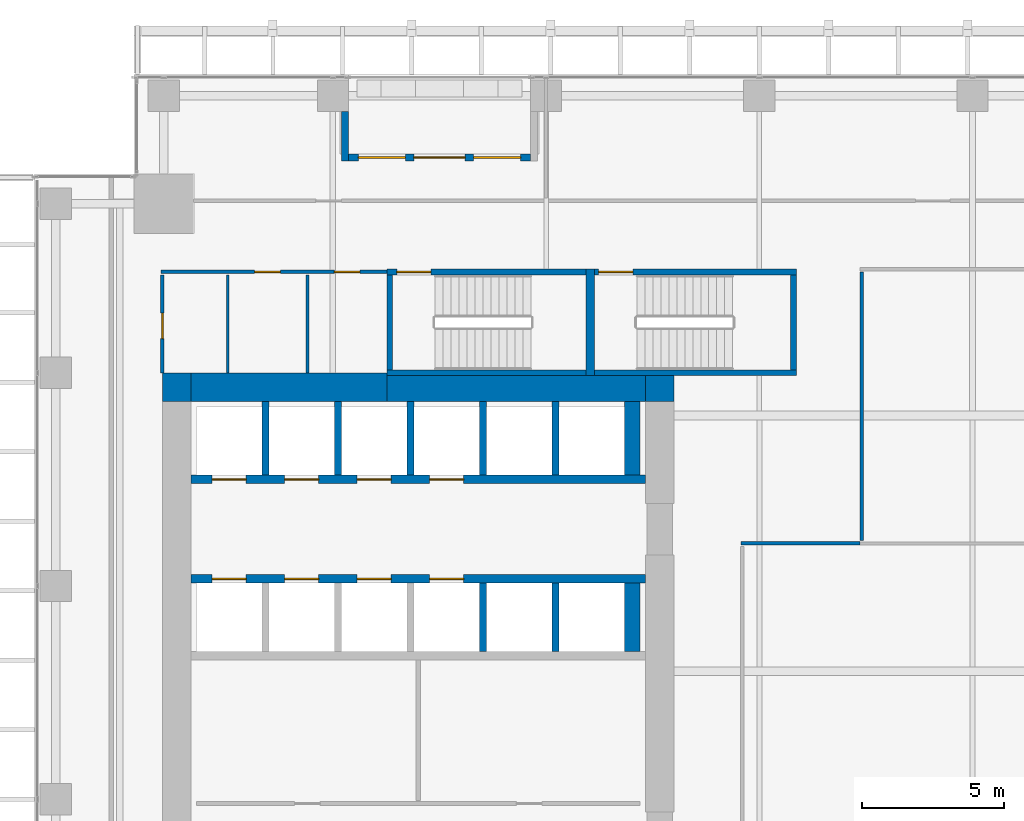
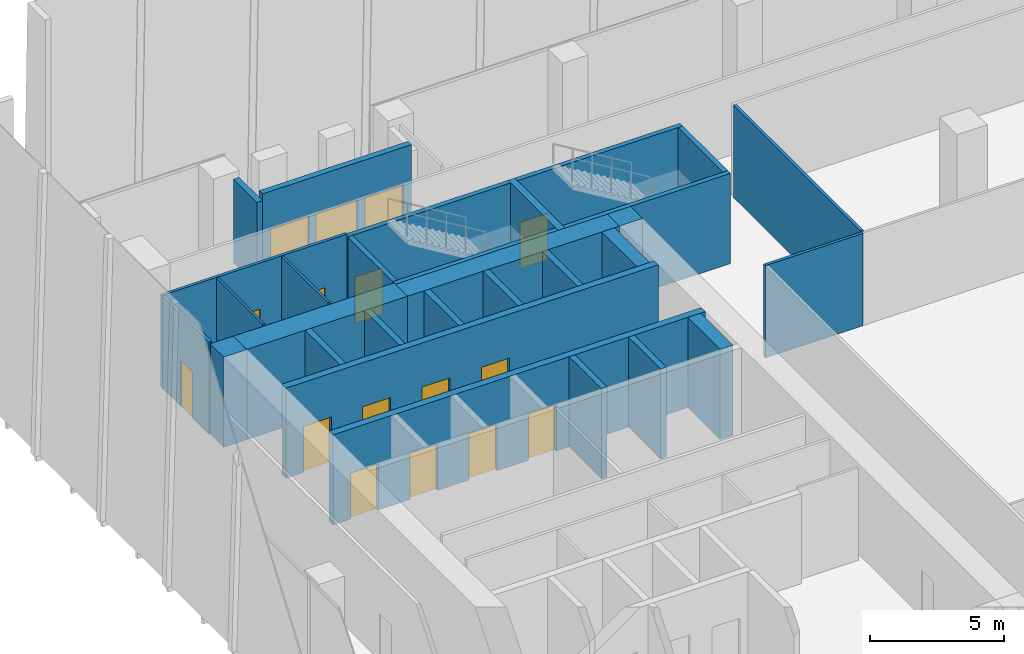
# One storey, part 30 of 36: 30 walls, 14 doors, 2 windows, 16 openings.
"""IFC4 building model written with IfcOpenShell, lengths in metres."""

import ifcopenshell
import ifcopenshell.guid

model = None  # the IFC model being written
_history = None  # IfcOwnerHistory: only IFC2X3 demands one
_inside = {}  # id of a spatial element -> (the spatial element, [elements in it])
_under = {}  # id of a project, library or spatial element -> (it, [spatial elements below it])
_declared = {}  # id of a project -> (the project, [libraries it declares])
_typed = {}  # id of a type object -> (the type object, [elements of that type])
_made_of = {}  # id of a material, layer set ... -> (it, [elements and type objects made of it])


def new_model(schema):
    """Start an empty IFC model of exactly this schema.

    Asked for "IFC4X3", IfcOpenShell would pick the latest addendum, in which some entities
    have other attributes; the version numbers below select the first issue.
    IFC2X3 requires an IfcOwnerHistory on every rooted entity: one is made here for all.
    """
    global model, _history
    if schema == "IFC4X3":
        model = ifcopenshell.file(schema_version=(4, 3, 0, 0))
    else:
        model = ifcopenshell.file(schema=schema)
    _inside.clear()
    _under.clear()
    _declared.clear()
    _typed.clear()
    _made_of.clear()
    _history = None
    if model.schema == "IFC2X3":
        org = make("IfcOrganization", Name="unknown")
        user = make(
            "IfcPersonAndOrganization",
            ThePerson=make("IfcPerson", FamilyName="unknown"),
            TheOrganization=org,
        )
        app = make(
            "IfcApplication",
            ApplicationDeveloper=org,
            Version="unknown",
            ApplicationFullName="unknown",
            ApplicationIdentifier="unknown",
        )
        _history = make(
            "IfcOwnerHistory",
            OwningUser=user,
            OwningApplication=app,
            ChangeAction="ADDED",
            CreationDate=0,
        )
    return model


def make(cls, **values):
    """One entity of the class cls with the attributes given. An attribute that is None is left unset."""
    return model.create_entity(
        cls, **{name: value for name, value in values.items() if value is not None}
    )


def rooted(cls, **values):
    """An entity with a GlobalId (a new one), such as an element, a storey or a relation."""
    return make(cls, GlobalId=ifcopenshell.guid.new(), OwnerHistory=_history, **values)


def si_unit(unit_type, name, prefix=None):
    """IfcSIUnit, for example si_unit("LENGTHUNIT", "METRE", prefix="MILLI")."""
    return make("IfcSIUnit", UnitType=unit_type, Prefix=prefix, Name=name)


def assignment(units):
    """IfcUnitAssignment: the units of a project."""
    return None if units is None else make("IfcUnitAssignment", Units=units)


def point(xyz):
    """IfcCartesianPoint."""
    return None if xyz is None else make("IfcCartesianPoint", Coordinates=xyz)


def direction(xyz):
    """IfcDirection."""
    return None if xyz is None else make("IfcDirection", DirectionRatios=xyz)


def frame(location, z_axis=None, x_axis=None):
    """IfcAxis2Placement3D, a coordinate frame: its origin and axes. An axis left out is left unset."""
    return make(
        "IfcAxis2Placement3D",
        Location=point(location),
        Axis=direction(z_axis),
        RefDirection=direction(x_axis),
    )


def frame_2d(location, x_axis=None):
    """IfcAxis2Placement2D, a coordinate frame in the plane: its origin and x axis."""
    return make(
        "IfcAxis2Placement2D", Location=point(location), RefDirection=direction(x_axis)
    )


def origin():
    """The frame at (0, 0, 0) with its axes left unset."""
    return frame((0.0, 0.0, 0.0))


def place(relative_to, where):
    """IfcLocalPlacement: puts the frame where relative to a parent placement (None: the world)."""
    return make(
        "IfcLocalPlacement", PlacementRelTo=relative_to, RelativePlacement=where
    )


def context(
    kind, dimensions, precision=None, world=None, true_north=None, identifier=None
):
    """IfcGeometricRepresentationContext, for example the 3D "Model" context."""
    return make(
        "IfcGeometricRepresentationContext",
        ContextIdentifier=identifier,
        ContextType=kind,
        CoordinateSpaceDimension=dimensions,
        Precision=precision,
        WorldCoordinateSystem=world,
        TrueNorth=true_north,
    )


def subcontext(parent, identifier, kind, view, scale=None):
    """IfcGeometricRepresentationSubContext, for example "Body" below "Model"."""
    return make(
        "IfcGeometricRepresentationSubContext",
        ContextIdentifier=identifier,
        ContextType=kind,
        ParentContext=parent,
        TargetScale=scale,
        TargetView=view,
    )


def project(units=None, contexts=None):
    """IfcProject with its units and contexts."""
    return rooted(
        "IfcProject",
        Name="project",
        RepresentationContexts=contexts,
        UnitsInContext=assignment(units),
    )


def spatial(cls, under=None, at=None, **own):
    """A site, building, storey or space (cls), placed at a placement, below another one or the project."""
    s = rooted(cls, ObjectPlacement=at, **own)
    if under is not None:
        _under.setdefault(under.id(), (under, []))[1].append(s)
    return s


def profile(cls, at=None, kind="AREA", **sizes):
    """A parametric profile (cls). Its sizes go by their IFC names, for example OverallWidth=200.0."""
    return make(cls, ProfileType=kind, Position=at, **sizes)


def rectangle(**sizes):
    """IfcRectangleProfileDef."""
    return profile("IfcRectangleProfileDef", **sizes)


def extrude(swept, where, along, depth):
    """IfcExtrudedAreaSolid: the profile swept, set in the frame where, extruded along a direction by depth."""
    return make(
        "IfcExtrudedAreaSolid",
        SweptArea=swept,
        Position=where,
        ExtrudedDirection=direction(along),
        Depth=depth,
    )


def shape(context_of_items, identifier, shape_type, items):
    """IfcShapeRepresentation: the items that make up one representation, for example the "Body"."""
    return make(
        "IfcShapeRepresentation",
        ContextOfItems=context_of_items,
        RepresentationIdentifier=identifier,
        RepresentationType=shape_type,
        Items=items,
    )


def source(mapping_origin, context_of_items, identifier, shape_type, items):
    """IfcRepresentationMap: a shape defined once, which mapped items show again and again."""
    return make(
        "IfcRepresentationMap",
        MappingOrigin=mapping_origin,
        MappedRepresentation=shape(context_of_items, identifier, shape_type, items),
    )


def transform(
    local_origin,
    x_axis=None,
    y_axis=None,
    z_axis=None,
    scale=None,
    scale2=None,
    scale3=None,
    uniform=True,
):
    """IfcCartesianTransformationOperator3D, or its non-uniform kind. x_axis, y_axis, z_axis: its Axis1, 2, 3."""
    if uniform:
        return make(
            "IfcCartesianTransformationOperator3D",
            Axis1=direction(x_axis),
            Axis2=direction(y_axis),
            LocalOrigin=point(local_origin),
            Scale=scale,
            Axis3=direction(z_axis),
        )
    return make(
        "IfcCartesianTransformationOperator3DnonUniform",
        Axis1=direction(x_axis),
        Axis2=direction(y_axis),
        LocalOrigin=point(local_origin),
        Scale=scale,
        Axis3=direction(z_axis),
        Scale2=scale2,
        Scale3=scale3,
    )


def mapped(mapping_source, mapping_target):
    """IfcMappedItem: shows the shape of a source again, moved by a transform."""
    return make(
        "IfcMappedItem", MappingSource=mapping_source, MappingTarget=mapping_target
    )


def material(Name=None, Category=None):
    """IfcMaterial."""
    return make("IfcMaterial", Name=Name, Category=Category)


def layer(
    of_material, thickness, ventilated=None, Name=None, Category=None, Priority=None
):
    """IfcMaterialLayer: one layer of a wall or slab, of a material (None: an air gap)."""
    return make(
        "IfcMaterialLayer",
        Material=of_material,
        LayerThickness=thickness,
        IsVentilated=ventilated,
        Name=Name,
        Category=Category,
        Priority=Priority,
    )


def layer_set(layers, Name=None):
    """IfcMaterialLayerSet."""
    return make("IfcMaterialLayerSet", MaterialLayers=layers, LayerSetName=Name)


def made_of(thing, what):
    """Note that an element or type object is made of a material, layer set ...; save() writes the relation."""
    if what is not None:
        _made_of.setdefault(what.id(), (what, []))[1].append(thing)
    return thing


def type_object(cls, material=None, **own):
    """A type object (cls), such as IfcWallType, which elements share."""
    return made_of(rooted(cls, **own), material)


def element(
    cls,
    number,
    at=None,
    inside=None,
    cuts=None,
    type_object=None,
    material=None,
    context=None,
    identifier="Body",
    shape_type=None,
    held_by="IfcProductDefinitionShape",
    body=None,
    shapes=None,
    **own,
):
    """One element of the class cls, such as IfcWall. Its Tag is "e" and its number.

    at: its placement. inside: the storey or other place that contains it. cuts: it is an
    opening in that element (IfcRelVoidsElement). A single representation is given by context,
    identifier, shape_type and body (its items); several are given by shapes. held_by: the class
    of the entity that holds the representations. save() writes the other relations.
    """
    e = rooted(cls, Tag="e%d" % number, ObjectPlacement=at, **own)
    if body is not None:
        shapes = [shape(context, identifier, shape_type, body)]
    if shapes is not None:
        e.Representation = make(held_by, Representations=shapes)
    if inside is not None:
        _inside.setdefault(inside.id(), (inside, []))[1].append(e)
    if cuts is not None:
        rooted(
            "IfcRelVoidsElement", RelatingBuildingElement=cuts, RelatedOpeningElement=e
        )
    if type_object is not None:
        _typed.setdefault(type_object.id(), (type_object, []))[1].append(e)
    return made_of(e, material)


def fill(opening, filler):
    """IfcRelFillsElement: the door or window that sits in an opening."""
    return rooted(
        "IfcRelFillsElement",
        RelatingOpeningElement=opening,
        RelatedBuildingElement=filler,
    )


def aggregate(whole, parts):
    """IfcRelAggregates: a whole, such as a stair, and the parts it consists of."""
    return rooted("IfcRelAggregates", RelatingObject=whole, RelatedObjects=parts)


def save(model, path):
    """Write the relations noted so far, then the file.

    IfcRelAggregates (storeys below a building ...), IfcRelContainedInSpatialStructure (elements
    in a storey), IfcRelDefinesByType, IfcRelAssociatesMaterial and IfcRelDeclares: one each for
    every whole, place, type object, material and project.
    """
    for whole, parts in _under.values():
        aggregate(whole, parts)
    for where, things in _inside.values():
        rooted(
            "IfcRelContainedInSpatialStructure",
            RelatedElements=things,
            RelatingStructure=where,
        )
    for kind, things in _typed.values():
        rooted("IfcRelDefinesByType", RelatedObjects=things, RelatingType=kind)
    for what, things in _made_of.values():
        rooted("IfcRelAssociatesMaterial", RelatedObjects=things, RelatingMaterial=what)
    for by, libraries in _declared.values():
        rooted("IfcRelDeclares", RelatingContext=by, RelatedDefinitions=libraries)
    model.write(path)


model = new_model("IFC4")

# Units and contexts
model_context = context("Model", 3, precision=1e-05, world=origin(), true_north=direction((0.0, 1.0)))
body_context = subcontext(model_context, "Body", "Model", "MODEL_VIEW")
ifc_project = project(units=[si_unit("LENGTHUNIT", "METRE"), si_unit("AREAUNIT", "SQUARE_METRE"), si_unit("VOLUMEUNIT", "CUBIC_METRE"), si_unit("PLANEANGLEUNIT", "RADIAN"), si_unit("MASSUNIT", "GRAM", prefix="KILO")], contexts=[model_context])

# Site, building, storey
site_placement = place(None, origin())
site = spatial("IfcSite", under=ifc_project, at=site_placement, CompositionType="ELEMENT")
building_placement = place(site_placement, origin())
building = spatial("IfcBuilding", under=site, at=building_placement, Name="Khomas Fold Tower", CompositionType="ELEMENT")
storey_placement = place(building_placement, frame((0.0, 0.0, 141.10009765625)))
storey = spatial("IfcBuildingStorey", under=building, at=storey_placement, Name="L30", CompositionType="ELEMENT", Elevation=141.10009765625)

# Walls
ifc_material_1 = material(Name="Concrete C70/85", Category="concrete")
ifc_layer_1 = layer(ifc_material_1, 1.0)
ifc_layer_set_1 = layer_set([ifc_layer_1], Name="Concrete C70/85")
wall_type_1 = type_object("IfcWallType", Name="Core wall 1000", PredefinedType="SHEAR", material=ifc_layer_set_1)
shared_shape_1 = source(origin(), body_context, "Body", "SweptSolid", [
    extrude(rectangle(XDim=6.89990234375, YDim=1.0, at=frame_2d((3.449951171875, 0.0))), origin(), (0.0, 0.0, 1.0), 4.099853515625),
])
wall_1_placement = place(storey_placement, frame((7.0, 41.5, 0.0), z_axis=(0.0, 0.0, 1.0), x_axis=(1.0, 0.0, 0.0)))
element("IfcWall", 1, at=wall_1_placement, inside=storey, type_object=wall_type_1, Name="Core wall CW-L-N-L21", PredefinedType="SHEAR", context=body_context, shape_type="MappedRepresentation", body=[
    mapped(shared_shape_1, transform((0.0, 0.0, 0.0))),
])
ifc_material_2 = material(Name="Concrete C70/85", Category="concrete")
ifc_layer_2 = layer(ifc_material_2, 0.89990234375)
ifc_layer_set_2 = layer_set([ifc_layer_2], Name="Concrete C70/85")
wall_type_2 = type_object("IfcWallType", Name="Core wall 900", PredefinedType="SHEAR", material=ifc_layer_set_2)
shared_shape_2 = source(origin(), body_context, "Body", "SweptSolid", [
    extrude(rectangle(XDim=9.10009765625, YDim=0.89990234375, at=frame_2d((4.550048828125, 0.0))), origin(), (0.0, 0.0, 1.0), 4.099853515625),
])
wall_2_placement = place(storey_placement, frame((13.89990234375, 41.449951171875, 0.0), z_axis=(0.0, 0.0, 1.0), x_axis=(1.0, 0.0, 0.0)))
element("IfcWall", 2, at=wall_2_placement, inside=storey, type_object=wall_type_2, Name="Core wall CW-L-N-L21-1", PredefinedType="SHEAR", context=body_context, shape_type="MappedRepresentation", body=[
    mapped(shared_shape_2, transform((0.0, 0.0, 0.0))),
])
ifc_material_3 = material(Name="Concrete C70/85", Category="concrete")
ifc_layer_3 = layer(ifc_material_3, 0.89990234375)
ifc_layer_set_3 = layer_set([ifc_layer_3], Name="Concrete C70/85")
wall_type_3 = type_object("IfcWallType", Name="Core corner wall 900", PredefinedType="SHEAR", material=ifc_layer_set_3)
shared_shape_3 = source(origin(), body_context, "Body", "SweptSolid", [
    extrude(rectangle(XDim=1.0, YDim=0.89990234375, at=frame_2d((0.5, 0.0))), origin(), (0.0, 0.0, 1.0), 4.099853515625),
])
wall_3_placement = place(storey_placement, frame((23.0, 41.449951171875, 0.0), z_axis=(0.0, 0.0, 1.0), x_axis=(1.0, 0.0, 0.0)))
element("IfcWall", 3, at=wall_3_placement, inside=storey, type_object=wall_type_3, Name="Core wall CW-L-NE-L21", PredefinedType="SHEAR", context=body_context, shape_type="MappedRepresentation", body=[
    mapped(shared_shape_3, transform((0.0, 0.0, 0.0))),
])
ifc_material_4 = material(Name="Concrete C70/85", Category="concrete")
ifc_layer_4 = layer(ifc_material_4, 1.0)
ifc_layer_set_4 = layer_set([ifc_layer_4], Name="Concrete C70/85")
wall_type_4 = type_object("IfcWallType", Name="Core corner wall 1000", PredefinedType="SHEAR", material=ifc_layer_set_4)
shared_shape_4 = source(origin(), body_context, "Body", "SweptSolid", [
    extrude(rectangle(XDim=1.0, YDim=1.0, at=frame_2d((0.5, 0.0))), origin(), (0.0, 0.0, 1.0), 4.099853515625),
])
wall_4_placement = place(storey_placement, frame((6.0, 41.5, 0.0), z_axis=(0.0, 0.0, 1.0), x_axis=(1.0, 0.0, 0.0)))
element("IfcWall", 4, at=wall_4_placement, inside=storey, type_object=wall_type_4, Name="Core wall CW-L-NW-L21", PredefinedType="SHEAR", context=body_context, shape_type="MappedRepresentation", body=[
    mapped(shared_shape_4, transform((0.0, 0.0, 0.0))),
])

# Wall, opening, door
ifc_material_5 = material(Name="Concrete C50/60", Category="concrete")
ifc_layer_5 = layer(ifc_material_5, 0.199951171875)
ifc_layer_set_5 = layer_set([ifc_layer_5], Name="Concrete C50/60")
wall_type_5 = type_object("IfcWallType", Name="Stair wall 200", PredefinedType="SHEAR", material=ifc_layer_set_5)
shared_shape_5 = source(origin(), body_context, "Body", "SweptSolid", [
    extrude(rectangle(XDim=7.0, YDim=0.199951171875, at=frame_2d((3.5, 0.0))), origin(), (0.0, 0.0, 1.0), 4.099853515625),
])
wall_5_placement = place(storey_placement, frame((13.89990234375, 45.550048828125, 0.0), z_axis=(0.0, 0.0, 1.0), x_axis=(1.0, 0.0, 0.0)))
wall_5 = element("IfcWall", 5, at=wall_5_placement, inside=storey, type_object=wall_type_5, Name="Stair wall SW-ST1-N", PredefinedType="SHEAR", context=body_context, shape_type="MappedRepresentation", body=[
    mapped(shared_shape_5, transform((0.0, 0.0, 0.0))),
])
shared_shape_6 = source(origin(), body_context, "Body", "SweptSolid", [
    extrude(rectangle(XDim=1.199951171875, YDim=2.10009765625, at=frame_2d((0.60009765625, 1.050048828125))), frame((0.0, 0.10986328125, 0.0), z_axis=(0.0, -1.0, 0.0), x_axis=(1.0, 0.0, 0.0)), (0.0, 0.0, 1.0), 0.219970703125),
])
opening_1_placement = place(wall_5_placement, frame((0.35009765625, 0.0, 0.0)))
opening_1 = element("IfcOpeningElement", 6, at=opening_1_placement, cuts=wall_5, Name="Opening SD-ST1", PredefinedType="OPENING", context=body_context, shape_type="MappedRepresentation", body=[
    mapped(shared_shape_6, transform((0.0, 0.0, 0.0))),
])
ifc_material_6 = material(Name="Steel door leaf", Category="steel")
door_type_1 = type_object("IfcDoorType", Name="Stair door 1200x2100 left-hand", OperationType="SINGLE_SWING_LEFT", PredefinedType="DOOR", material=ifc_material_6)
shared_shape_7 = source(origin(), body_context, "Body", "SweptSolid", [
    extrude(rectangle(XDim=1.199951171875, YDim=2.10009765625, at=frame_2d((0.60009765625, 1.050048828125))), frame((0.0, 0.02490234375, 0.0), z_axis=(0.0, -1.0, 0.0), x_axis=(1.0, 0.0, 0.0)), (0.0, 0.0, 1.0), 0.050048828125),
])
door_1_placement = place(opening_1_placement, origin())
door_1 = element("IfcDoor", 7, at=door_1_placement, inside=storey, type_object=door_type_1, Name="Stair door", OperationType="SINGLE_SWING_LEFT", OverallHeight=2.10009765625, OverallWidth=1.199951171875, PredefinedType="DOOR", context=body_context, shape_type="MappedRepresentation", body=[
    mapped(shared_shape_7, transform((0.0, 0.0, 0.0))),
])
fill(opening_1, door_1)

# Wall
wall_6_placement = place(storey_placement, frame((13.89990234375, 42.0, 0.0), z_axis=(0.0, 0.0, 1.0), x_axis=(1.0, 0.0, 0.0)))
element("IfcWall", 8, at=wall_6_placement, inside=storey, type_object=wall_type_5, Name="Stair wall SW-ST1-S", PredefinedType="SHEAR", context=body_context, shape_type="MappedRepresentation", body=[
    mapped(shared_shape_5, transform((0.0, 0.0, 0.0))),
])

# Wall, opening, door
shared_shape_8 = source(origin(), body_context, "Body", "SweptSolid", [
    extrude(rectangle(XDim=7.10009765625, YDim=0.199951171875, at=frame_2d((3.550048828125, 0.0))), origin(), (0.0, 0.0, 1.0), 4.099853515625),
])
wall_7_placement = place(storey_placement, frame((21.199951171875, 45.550048828125, 0.0), z_axis=(0.0, 0.0, 1.0), x_axis=(1.0, 0.0, 0.0)))
wall_7 = element("IfcWall", 9, at=wall_7_placement, inside=storey, type_object=wall_type_5, Name="Stair wall SW-ST3-N", PredefinedType="SHEAR", context=body_context, shape_type="MappedRepresentation", body=[
    mapped(shared_shape_8, transform((0.0, 0.0, 0.0))),
])
opening_2_placement = place(wall_7_placement, frame((0.14990234375, 0.0, 0.0)))
opening_2 = element("IfcOpeningElement", 10, at=opening_2_placement, cuts=wall_7, Name="Opening SD-ST3", PredefinedType="OPENING", context=body_context, shape_type="MappedRepresentation", body=[
    mapped(shared_shape_6, transform((0.0, 0.0, 0.0))),
])
door_2_placement = place(opening_2_placement, origin())
door_2 = element("IfcDoor", 11, at=door_2_placement, inside=storey, type_object=door_type_1, Name="Stair door", OperationType="SINGLE_SWING_LEFT", OverallHeight=2.10009765625, OverallWidth=1.199951171875, PredefinedType="DOOR", context=body_context, shape_type="MappedRepresentation", body=[
    mapped(shared_shape_7, transform((0.0, 0.0, 0.0))),
])
fill(opening_2, door_2)

# Walls
wall_8_placement = place(storey_placement, frame((21.199951171875, 42.0, 0.0), z_axis=(0.0, 0.0, 1.0), x_axis=(1.0, 0.0, 0.0)))
element("IfcWall", 12, at=wall_8_placement, inside=storey, type_object=wall_type_5, Name="Stair wall SW-ST3-S", PredefinedType="SHEAR", context=body_context, shape_type="MappedRepresentation", body=[
    mapped(shared_shape_8, transform((0.0, 0.0, 0.0))),
])
ifc_material_7 = material(Name="Concrete C50/60", Category="concrete")
ifc_layer_6 = layer(ifc_material_7, 0.300048828125)
ifc_layer_set_6 = layer_set([ifc_layer_6], Name="Concrete C50/60")
wall_type_6 = type_object("IfcWallType", Name="Stair wall 300", PredefinedType="SHEAR", material=ifc_layer_set_6)
shared_shape_9 = source(origin(), body_context, "Body", "SweptSolid", [
    extrude(rectangle(XDim=3.75, YDim=0.300048828125, at=frame_2d((1.875, 0.0))), origin(), (0.0, 0.0, 1.0), 4.099853515625),
])
wall_9_placement = place(storey_placement, frame((21.050048828125, 41.89990234375, 0.0), z_axis=(0.0, 0.0, 1.0), x_axis=(0.0, 1.0, 0.0)))
element("IfcWall", 13, at=wall_9_placement, inside=storey, type_object=wall_type_6, Name="Stair wall SW-ST1-E", PredefinedType="SHEAR", context=body_context, shape_type="MappedRepresentation", body=[
    mapped(shared_shape_9, transform((0.0, 0.0, 0.0))),
])
shared_shape_10 = source(origin(), body_context, "Body", "SweptSolid", [
    extrude(rectangle(XDim=3.349853515625, YDim=0.199951171875, at=frame_2d((1.6748046875, 0.0))), origin(), (0.0, 0.0, 1.0), 4.099853515625),
])
for number, where, z_axis, x_axis, name in (
    (14, (14.0, 42.10009765625, 0.0), (0.0, 0.0, 1.0), (0.0, 1.0, 0.0), "Stair wall SW-ST1-W"),
    (15, (28.199951171875, 42.10009765625, 0.0), (0.0, 0.0, 1.0), (0.0, 1.0, 0.0), "Stair wall SW-ST3-E"),
):
    element("IfcWall", number, at=place(storey_placement, frame(where, z_axis=z_axis, x_axis=x_axis)), inside=storey, type_object=wall_type_5, Name=name, PredefinedType="SHEAR", context=body_context, shape_type="MappedRepresentation", body=[
        mapped(shared_shape_10, transform((0.0, 0.0, 0.0))),
    ])

# Wall, openings, doors
ifc_material_8 = material(Name="Concrete C50/60", Category="concrete")
ifc_layer_7 = layer(ifc_material_8, 0.300048828125)
ifc_layer_set_7 = layer_set([ifc_layer_7], Name="Concrete C50/60")
wall_type_7 = type_object("IfcWallType", Name="Shaft wall 300", PredefinedType="STANDARD", material=ifc_layer_set_7)
shared_shape_11 = source(origin(), body_context, "Body", "SweptSolid", [
    extrude(rectangle(XDim=16.0, YDim=0.300048828125, at=frame_2d((8.0, 0.0))), origin(), (0.0, 0.0, 1.0), 4.099853515625),
])
wall_10_placement = place(storey_placement, frame((7.0, 38.25, 0.0), z_axis=(0.0, 0.0, 1.0), x_axis=(1.0, 0.0, 0.0)))
wall_10 = element("IfcWall", 16, at=wall_10_placement, inside=storey, type_object=wall_type_7, Name="Core wall SW-LRN-F", PredefinedType="STANDARD", context=body_context, shape_type="MappedRepresentation", body=[
    mapped(shared_shape_11, transform((0.0, 0.0, 0.0))),
])
shared_shape_12 = source(origin(), body_context, "Body", "SweptSolid", [
    extrude(rectangle(XDim=1.199951171875, YDim=2.10009765625, at=frame_2d((0.60009765625, 1.050048828125))), frame((0.0, 0.159912109375, 0.0), z_axis=(0.0, -1.0, 0.0), x_axis=(1.0, 0.0, 0.0)), (0.0, 0.0, 1.0), 0.320068359375),
])
opening_3_placement = place(wall_10_placement, frame((0.75, 0.0, 0.0)))
opening_3 = element("IfcOpeningElement", 17, at=opening_3_placement, cuts=wall_10, Name="Opening LD-LR5", PredefinedType="OPENING", context=body_context, shape_type="MappedRepresentation", body=[
    mapped(shared_shape_12, transform((0.0, 0.0, 0.0))),
])
opening_4_placement = place(wall_10_placement, frame((3.300048828125, 0.0, 0.0)))
opening_4 = element("IfcOpeningElement", 18, at=opening_4_placement, cuts=wall_10, Name="Opening LD-LR6", PredefinedType="OPENING", context=body_context, shape_type="MappedRepresentation", body=[
    mapped(shared_shape_12, transform((0.0, 0.0, 0.0))),
])
opening_5_placement = place(wall_10_placement, frame((5.85009765625, 0.0, 0.0)))
opening_5 = element("IfcOpeningElement", 19, at=opening_5_placement, cuts=wall_10, Name="Opening LD-LR7", PredefinedType="OPENING", context=body_context, shape_type="MappedRepresentation", body=[
    mapped(shared_shape_12, transform((0.0, 0.0, 0.0))),
])
opening_6_placement = place(wall_10_placement, frame((8.39990234375, 0.0, 0.0)))
opening_6 = element("IfcOpeningElement", 20, at=opening_6_placement, cuts=wall_10, Name="Opening LD-LR8", PredefinedType="OPENING", context=body_context, shape_type="MappedRepresentation", body=[
    mapped(shared_shape_12, transform((0.0, 0.0, 0.0))),
])
ifc_material_9 = material(Name="Steel door leaf", Category="steel")
door_type_2 = type_object("IfcDoorType", Name="Landing door 1200x2100", OperationType="DOUBLE_DOOR_SLIDING", PredefinedType="DOOR", material=ifc_material_9)
door_3_placement = place(opening_3_placement, origin())
door_3 = element("IfcDoor", 21, at=door_3_placement, inside=storey, type_object=door_type_2, Name="Lift landing door", OperationType="DOUBLE_DOOR_SLIDING", OverallHeight=2.10009765625, OverallWidth=1.199951171875, PredefinedType="DOOR", context=body_context, shape_type="MappedRepresentation", body=[
    mapped(shared_shape_7, transform((0.0, 0.0, 0.0))),
])
fill(opening_3, door_3)
door_4_placement = place(opening_4_placement, origin())
door_4 = element("IfcDoor", 22, at=door_4_placement, inside=storey, type_object=door_type_2, Name="Lift landing door", OperationType="DOUBLE_DOOR_SLIDING", OverallHeight=2.10009765625, OverallWidth=1.199951171875, PredefinedType="DOOR", context=body_context, shape_type="MappedRepresentation", body=[
    mapped(shared_shape_7, transform((0.0, 0.0, 0.0))),
])
fill(opening_4, door_4)
door_5_placement = place(opening_5_placement, origin())
door_5 = element("IfcDoor", 23, at=door_5_placement, inside=storey, type_object=door_type_2, Name="Lift landing door", OperationType="DOUBLE_DOOR_SLIDING", OverallHeight=2.10009765625, OverallWidth=1.199951171875, PredefinedType="DOOR", context=body_context, shape_type="MappedRepresentation", body=[
    mapped(shared_shape_7, transform((0.0, 0.0, 0.0))),
])
fill(opening_5, door_5)
door_6_placement = place(opening_6_placement, origin())
door_6 = element("IfcDoor", 24, at=door_6_placement, inside=storey, type_object=door_type_2, Name="Lift landing door", OperationType="DOUBLE_DOOR_SLIDING", OverallHeight=2.10009765625, OverallWidth=1.199951171875, PredefinedType="DOOR", context=body_context, shape_type="MappedRepresentation", body=[
    mapped(shared_shape_7, transform((0.0, 0.0, 0.0))),
])
fill(opening_6, door_6)

wall_11_placement = place(storey_placement, frame((7.0, 34.75, 0.0), z_axis=(0.0, 0.0, 1.0), x_axis=(1.0, 0.0, 0.0)))
wall_11 = element("IfcWall", 25, at=wall_11_placement, inside=storey, type_object=wall_type_7, Name="Core wall SW-LRS-F", PredefinedType="STANDARD", context=body_context, shape_type="MappedRepresentation", body=[
    mapped(shared_shape_11, transform((0.0, 0.0, 0.0))),
])
opening_7_placement = place(wall_11_placement, frame((0.75, 0.0, 0.0)))
opening_7 = element("IfcOpeningElement", 26, at=opening_7_placement, cuts=wall_11, Name="Opening LD-LR1", PredefinedType="OPENING", context=body_context, shape_type="MappedRepresentation", body=[
    mapped(shared_shape_12, transform((0.0, 0.0, 0.0))),
])
opening_8_placement = place(wall_11_placement, frame((3.300048828125, 0.0, 0.0)))
opening_8 = element("IfcOpeningElement", 27, at=opening_8_placement, cuts=wall_11, Name="Opening LD-LR2", PredefinedType="OPENING", context=body_context, shape_type="MappedRepresentation", body=[
    mapped(shared_shape_12, transform((0.0, 0.0, 0.0))),
])
opening_9_placement = place(wall_11_placement, frame((5.85009765625, 0.0, 0.0)))
opening_9 = element("IfcOpeningElement", 28, at=opening_9_placement, cuts=wall_11, Name="Opening LD-LR3", PredefinedType="OPENING", context=body_context, shape_type="MappedRepresentation", body=[
    mapped(shared_shape_12, transform((0.0, 0.0, 0.0))),
])
opening_10_placement = place(wall_11_placement, frame((8.39990234375, 0.0, 0.0)))
opening_10 = element("IfcOpeningElement", 29, at=opening_10_placement, cuts=wall_11, Name="Opening LD-LR4", PredefinedType="OPENING", context=body_context, shape_type="MappedRepresentation", body=[
    mapped(shared_shape_12, transform((0.0, 0.0, 0.0))),
])
door_7_placement = place(opening_7_placement, origin())
door_7 = element("IfcDoor", 30, at=door_7_placement, inside=storey, type_object=door_type_2, Name="Lift landing door", OperationType="DOUBLE_DOOR_SLIDING", OverallHeight=2.10009765625, OverallWidth=1.199951171875, PredefinedType="DOOR", context=body_context, shape_type="MappedRepresentation", body=[
    mapped(shared_shape_7, transform((0.0, 0.0, 0.0))),
])
fill(opening_7, door_7)
door_8_placement = place(opening_8_placement, origin())
door_8 = element("IfcDoor", 31, at=door_8_placement, inside=storey, type_object=door_type_2, Name="Lift landing door", OperationType="DOUBLE_DOOR_SLIDING", OverallHeight=2.10009765625, OverallWidth=1.199951171875, PredefinedType="DOOR", context=body_context, shape_type="MappedRepresentation", body=[
    mapped(shared_shape_7, transform((0.0, 0.0, 0.0))),
])
fill(opening_8, door_8)
door_9_placement = place(opening_9_placement, origin())
door_9 = element("IfcDoor", 32, at=door_9_placement, inside=storey, type_object=door_type_2, Name="Lift landing door", OperationType="DOUBLE_DOOR_SLIDING", OverallHeight=2.10009765625, OverallWidth=1.199951171875, PredefinedType="DOOR", context=body_context, shape_type="MappedRepresentation", body=[
    mapped(shared_shape_7, transform((0.0, 0.0, 0.0))),
])
fill(opening_9, door_9)
door_10_placement = place(opening_10_placement, origin())
door_10 = element("IfcDoor", 33, at=door_10_placement, inside=storey, type_object=door_type_2, Name="Lift landing door", OperationType="DOUBLE_DOOR_SLIDING", OverallHeight=2.10009765625, OverallWidth=1.199951171875, PredefinedType="DOOR", context=body_context, shape_type="MappedRepresentation", body=[
    mapped(shared_shape_7, transform((0.0, 0.0, 0.0))),
])
fill(opening_10, door_10)

# Walls
ifc_material_10 = material(Name="Concrete C50/60", Category="concrete")
ifc_layer_8 = layer(ifc_material_10, 0.25)
ifc_layer_set_8 = layer_set([ifc_layer_8], Name="Concrete C50/60")
wall_type_8 = type_object("IfcWallType", Name="Shaft wall 250", PredefinedType="STANDARD", material=ifc_layer_set_8)
shared_shape_13 = source(origin(), body_context, "Body", "SweptSolid", [
    extrude(rectangle(XDim=2.60009765625, YDim=0.25, at=frame_2d((1.300048828125, 0.0))), origin(), (0.0, 0.0, 1.0), 4.099853515625),
])
for number, where, z_axis, x_axis, name in (
    (34, (9.625, 38.39990234375, 0.0), (0.0, 0.0, 1.0), (0.0, 1.0, 0.0), "Core wall SW-LRN-P1"),
    (35, (12.175048828125, 38.39990234375, 0.0), (0.0, 0.0, 1.0), (0.0, 1.0, 0.0), "Core wall SW-LRN-P2"),
    (36, (14.72509765625, 38.39990234375, 0.0), (0.0, 0.0, 1.0), (0.0, 1.0, 0.0), "Core wall SW-LRN-P3"),
    (37, (17.27490234375, 38.39990234375, 0.0), (0.0, 0.0, 1.0), (0.0, 1.0, 0.0), "Core wall SW-LRN-P4"),
    (38, (19.824951171875, 38.39990234375, 0.0), (0.0, 0.0, 1.0), (0.0, 1.0, 0.0), "Core wall SW-LRN-P5"),
):
    element("IfcWall", number, at=place(storey_placement, frame(where, z_axis=z_axis, x_axis=x_axis)), inside=storey, type_object=wall_type_8, Name=name, PredefinedType="STANDARD", context=body_context, shape_type="MappedRepresentation", body=[
        mapped(shared_shape_13, transform((0.0, 0.0, 0.0))),
    ])
ifc_material_11 = material(Name="Concrete C50/60", Category="concrete")
ifc_layer_9 = layer(ifc_material_11, 0.550048828125)
ifc_layer_set_9 = layer_set([ifc_layer_9], Name="Concrete C50/60")
wall_type_9 = type_object("IfcWallType", Name="Shaft wall 550", PredefinedType="STANDARD", material=ifc_layer_set_9)
shared_shape_14 = source(origin(), body_context, "Body", "SweptSolid", [
    extrude(rectangle(XDim=2.60009765625, YDim=0.550048828125, at=frame_2d((1.300048828125, 0.0))), origin(), (0.0, 0.0, 1.0), 4.099853515625),
])
wall_12_placement = place(storey_placement, frame((22.52490234375, 38.39990234375, 0.0), z_axis=(0.0, 0.0, 1.0), x_axis=(0.0, 1.0, 0.0)))
element("IfcWall", 39, at=wall_12_placement, inside=storey, type_object=wall_type_9, Name="Core wall SW-LRN-PE", PredefinedType="STANDARD", context=body_context, shape_type="MappedRepresentation", body=[
    mapped(shared_shape_14, transform((0.0, 0.0, 0.0))),
])
shared_shape_15 = source(origin(), body_context, "Body", "SweptSolid", [
    extrude(rectangle(XDim=2.400146484375, YDim=0.25, at=frame_2d((1.2001953125, 0.0))), origin(), (0.0, 0.0, 1.0), 4.099853515625),
])
for number, where, z_axis, x_axis, name in (
    (40, (17.27490234375, 32.199951171875, 0.0), (0.0, 0.0, 1.0), (0.0, 1.0, 0.0), "Core wall SW-LRS-P4"),
    (41, (19.824951171875, 32.199951171875, 0.0), (0.0, 0.0, 1.0), (0.0, 1.0, 0.0), "Core wall SW-LRS-P5"),
):
    element("IfcWall", number, at=place(storey_placement, frame(where, z_axis=z_axis, x_axis=x_axis)), inside=storey, type_object=wall_type_8, Name=name, PredefinedType="STANDARD", context=body_context, shape_type="MappedRepresentation", body=[
        mapped(shared_shape_15, transform((0.0, 0.0, 0.0))),
    ])
shared_shape_16 = source(origin(), body_context, "Body", "SweptSolid", [
    extrude(rectangle(XDim=2.400146484375, YDim=0.550048828125, at=frame_2d((1.2001953125, 0.0))), origin(), (0.0, 0.0, 1.0), 4.099853515625),
])
wall_13_placement = place(storey_placement, frame((22.52490234375, 32.199951171875, 0.0), z_axis=(0.0, 0.0, 1.0), x_axis=(0.0, 1.0, 0.0)))
element("IfcWall", 42, at=wall_13_placement, inside=storey, type_object=wall_type_9, Name="Core wall SW-LRS-PE", PredefinedType="STANDARD", context=body_context, shape_type="MappedRepresentation", body=[
    mapped(shared_shape_16, transform((0.0, 0.0, 0.0))),
])

# Wall, openings, door, windows
ifc_material_12 = material(Name="Natural stone", Category="masonry")
ifc_layer_10 = layer(ifc_material_12, 0.0400390625)
ifc_material_13 = material(Name="Mineral wool insulation", Category="insulation")
ifc_layer_11 = layer(ifc_material_13, 0.10009765625)
ifc_material_14 = material(Name="Masonry", Category="masonry")
ifc_layer_12 = layer(ifc_material_14, 0.110107421875)
ifc_layer_set_10 = layer_set([ifc_layer_10, ifc_layer_11, ifc_layer_12], Name="Stone-faced insulated masonry")
wall_type_10 = type_object("IfcWallType", Name="BL-Balcony wall", PredefinedType="SOLIDWALL", material=ifc_layer_set_10)
shared_shape_17 = source(origin(), body_context, "Body", "SweptSolid", [
    extrude(rectangle(XDim=6.39990234375, YDim=0.25, at=frame_2d((3.199951171875, 0.0))), origin(), (0.0, 0.0, 1.0), 4.099853515625),
])
wall_14_placement = place(storey_placement, frame((12.550048828125, 49.574951171875, 0.0), z_axis=(0.0, 0.0, 1.0), x_axis=(1.0, 0.0, 0.0)))
wall_14 = element("IfcWall", 43, at=wall_14_placement, inside=storey, type_object=wall_type_10, Name="Balcony wall BAL-L30-N1", PredefinedType="SOLIDWALL", context=body_context, shape_type="MappedRepresentation", body=[
    mapped(shared_shape_17, transform((0.0, 0.0, 0.0))),
])
shared_shape_18 = source(origin(), body_context, "Body", "SweptSolid", [
    extrude(rectangle(XDim=1.64990234375, YDim=2.39990234375, at=frame_2d((0.824951171875, 1.199951171875))), frame((0.0, 0.135009765625, 0.0), z_axis=(0.0, -1.0, 0.0), x_axis=(1.0, 0.0, 0.0)), (0.0, 0.0, 1.0), 0.27001953125),
])
opening_11_placement = place(wall_14_placement, frame((0.35009765625, 0.0, 0.0)))
opening_11 = element("IfcOpeningElement", 44, at=opening_11_placement, cuts=wall_14, Name="Opening BL-W2", PredefinedType="OPENING", context=body_context, shape_type="MappedRepresentation", body=[
    mapped(shared_shape_18, transform((0.0, 0.0, 0.0))),
])
opening_12_placement = place(wall_14_placement, frame((4.39990234375, 0.0, 0.0)))
opening_12 = element("IfcOpeningElement", 45, at=opening_12_placement, cuts=wall_14, Name="Opening BL-W2", PredefinedType="OPENING", context=body_context, shape_type="MappedRepresentation", body=[
    mapped(shared_shape_18, transform((0.0, 0.0, 0.0))),
])
shared_shape_19 = source(origin(), body_context, "Body", "SweptSolid", [
    extrude(rectangle(XDim=1.800048828125, YDim=2.39990234375, at=frame_2d((0.89990234375, 1.199951171875))), frame((0.0, 0.135009765625, 0.0), z_axis=(0.0, -1.0, 0.0), x_axis=(1.0, 0.0, 0.0)), (0.0, 0.0, 1.0), 0.27001953125),
])
opening_13_placement = place(wall_14_placement, frame((2.300048828125, 0.0, 0.0)))
opening_13 = element("IfcOpeningElement", 46, at=opening_13_placement, cuts=wall_14, Name="Opening BD302", PredefinedType="OPENING", context=body_context, shape_type="MappedRepresentation", body=[
    mapped(shared_shape_19, transform((0.0, 0.0, 0.0))),
])
ifc_material_15 = material(Name="Aluminium framed double glazing", Category="aluminium")
door_type_3 = type_object("IfcDoorType", Name="BL-Glazed balcony door 1800 x 2400", OperationType="DOUBLE_DOOR_DOUBLE_SWING", PredefinedType="DOOR", material=ifc_material_15)
shared_shape_20 = source(origin(), body_context, "Body", "SweptSolid", [
    extrude(rectangle(XDim=1.800048828125, YDim=2.39990234375, at=frame_2d((0.89990234375, 1.199951171875))), frame((0.0, 0.02490234375, 0.0), z_axis=(0.0, -1.0, 0.0), x_axis=(1.0, 0.0, 0.0)), (0.0, 0.0, 1.0), 0.050048828125),
])
door_11_placement = place(opening_13_placement, origin())
door_11 = element("IfcDoor", 47, at=door_11_placement, inside=storey, type_object=door_type_3, Name="Balcony door BD302", OperationType="DOUBLE_DOOR_DOUBLE_SWING", OverallHeight=2.39990234375, OverallWidth=1.800048828125, PredefinedType="DOOR", context=body_context, shape_type="MappedRepresentation", body=[
    mapped(shared_shape_20, transform((0.0, 0.0, 0.0))),
])
fill(opening_13, door_11)
ifc_material_16 = material(Name="Aluminium framed double glazing", Category="aluminium")
window_type = type_object("IfcWindowType", Name="BL-Fixed glazing 1650 x 2400", PartitioningType="SINGLE_PANEL", PredefinedType="WINDOW", material=ifc_material_16)
shared_shape_21 = source(origin(), body_context, "Body", "SweptSolid", [
    extrude(rectangle(XDim=1.64990234375, YDim=2.39990234375, at=frame_2d((0.824951171875, 1.199951171875))), frame((0.0, 0.030029296875, 0.0), z_axis=(0.0, -1.0, 0.0), x_axis=(1.0, 0.0, 0.0)), (0.0, 0.0, 1.0), 0.06005859375),
])
window_1_placement = place(opening_11_placement, origin())
window_1 = element("IfcWindow", 48, at=window_1_placement, inside=storey, type_object=window_type, Name="Balcony glazing BAL-L30-N1-1", OverallHeight=2.39990234375, OverallWidth=1.64990234375, PartitioningType="SINGLE_PANEL", PredefinedType="WINDOW", context=body_context, shape_type="MappedRepresentation", body=[
    mapped(shared_shape_21, transform((0.0, 0.0, 0.0))),
])
fill(opening_11, window_1)
window_2_placement = place(opening_12_placement, origin())
window_2 = element("IfcWindow", 49, at=window_2_placement, inside=storey, type_object=window_type, Name="Balcony glazing BAL-L30-N1-2", OverallHeight=2.39990234375, OverallWidth=1.64990234375, PartitioningType="SINGLE_PANEL", PredefinedType="WINDOW", context=body_context, shape_type="MappedRepresentation", body=[
    mapped(shared_shape_21, transform((0.0, 0.0, 0.0))),
])
fill(opening_12, window_2)

# Wall
shared_shape_22 = source(origin(), body_context, "Body", "SweptSolid", [
    extrude(rectangle(XDim=1.75, YDim=0.25, at=frame_2d((0.875, 0.0))), origin(), (0.0, 0.0, 1.0), 3.7998046875),
])
wall_15_placement = place(storey_placement, frame((12.425048828125, 51.199951171875, 0.0), z_axis=(0.0, 0.0, 1.0), x_axis=(0.0, -1.0, 0.0)))
element("IfcWall", 50, at=wall_15_placement, inside=storey, type_object=wall_type_10, Name="Balcony return wall BAL-L30-N1-lo", PredefinedType="SOLIDWALL", context=body_context, shape_type="MappedRepresentation", body=[
    mapped(shared_shape_22, transform((0.0, 0.0, 0.0))),
])

# Wall, openings, doors
ifc_material_17 = material(Name="Plasterboard partition")
ifc_layer_13 = layer(ifc_material_17, 0.125)
ifc_layer_set_11 = layer_set([ifc_layer_13], Name="Plasterboard partition")
wall_type_11 = type_object("IfcWallType", Name="Partition PW2 125", PredefinedType="PARTITIONING", material=ifc_layer_set_11)
shared_shape_23 = source(origin(), body_context, "Body", "SweptSolid", [
    extrude(rectangle(XDim=7.949951171875, YDim=0.125, at=frame_2d((3.97509765625, 0.0))), origin(), (0.0, 0.0, 1.0), 4.199951171875),
])
wall_16_placement = place(storey_placement, frame((5.949951171875, 45.550048828125, 0.0), z_axis=(0.0, 0.0, 1.0), x_axis=(1.0, 0.0, 0.0)))
wall_16 = element("IfcWall", 51, at=wall_16_placement, inside=storey, type_object=wall_type_11, Name="Partition", PredefinedType="PARTITIONING", context=body_context, shape_type="MappedRepresentation", body=[
    mapped(shared_shape_23, transform((0.0, 0.0, 0.0))),
])
shared_shape_24 = source(origin(), body_context, "Body", "SweptSolid", [
    extrude(rectangle(XDim=0.89990234375, YDim=2.10009765625, at=frame_2d((0.449951171875, 1.050048828125))), frame((0.0, 0.072509765625, 0.0), z_axis=(0.0, -1.0, 0.0), x_axis=(1.0, 0.0, 0.0)), (0.0, 0.0, 1.0), 0.14501953125),
])
opening_14_placement = place(wall_16_placement, frame((3.300048828125, 0.0, 0.0)))
opening_14 = element("IfcOpeningElement", 52, at=opening_14_placement, cuts=wall_16, Name="Opening 0007", PredefinedType="OPENING", context=body_context, shape_type="MappedRepresentation", body=[
    mapped(shared_shape_24, transform((0.0, 0.0, 0.0))),
])
opening_15_placement = place(wall_16_placement, frame((6.10009765625, 0.0, 0.0)))
opening_15 = element("IfcOpeningElement", 53, at=opening_15_placement, cuts=wall_16, Name="Opening 0008", PredefinedType="OPENING", context=body_context, shape_type="MappedRepresentation", body=[
    mapped(shared_shape_24, transform((0.0, 0.0, 0.0))),
])
ifc_material_18 = material(Name="Timber door leaf", Category="wood")
door_type_4 = type_object("IfcDoorType", Name="Door 900x2100 left-hand", OperationType="SINGLE_SWING_LEFT", PredefinedType="DOOR", material=ifc_material_18)
shared_shape_25 = source(origin(), body_context, "Body", "SweptSolid", [
    extrude(rectangle(XDim=0.89990234375, YDim=2.10009765625, at=frame_2d((0.449951171875, 1.050048828125))), frame((0.0, 0.02490234375, 0.0), z_axis=(0.0, -1.0, 0.0), x_axis=(1.0, 0.0, 0.0)), (0.0, 0.0, 1.0), 0.050048828125),
])
door_12_placement = place(opening_14_placement, origin())
door_12 = element("IfcDoor", 54, at=door_12_placement, inside=storey, type_object=door_type_4, Name="Door", OperationType="SINGLE_SWING_LEFT", OverallHeight=2.10009765625, OverallWidth=0.89990234375, PredefinedType="DOOR", context=body_context, shape_type="MappedRepresentation", body=[
    mapped(shared_shape_25, transform((0.0, 0.0, 0.0))),
])
fill(opening_14, door_12)
ifc_material_19 = material(Name="Timber door leaf", Category="wood")
door_type_5 = type_object("IfcDoorType", Name="Door 900x2100 right-hand", OperationType="SINGLE_SWING_RIGHT", PredefinedType="DOOR", material=ifc_material_19)
door_13_placement = place(opening_15_placement, origin())
door_13 = element("IfcDoor", 55, at=door_13_placement, inside=storey, type_object=door_type_5, Name="Door", OperationType="SINGLE_SWING_RIGHT", OverallHeight=2.10009765625, OverallWidth=0.89990234375, PredefinedType="DOOR", context=body_context, shape_type="MappedRepresentation", body=[
    mapped(shared_shape_25, transform((0.0, 0.0, 0.0))),
])
fill(opening_15, door_13)

# Walls
shared_shape_26 = source(origin(), body_context, "Body", "SweptSolid", [
    extrude(rectangle(XDim=4.199951171875, YDim=0.125, at=frame_2d((2.10009765625, 0.0))), origin(), (0.0, 0.0, 1.0), 4.199951171875),
])
wall_17_placement = place(storey_placement, frame((26.35009765625, 36.0, 0.0), z_axis=(0.0, 0.0, 1.0), x_axis=(1.0, 0.0, 0.0)))
element("IfcWall", 56, at=wall_17_placement, inside=storey, type_object=wall_type_11, Name="Partition", PredefinedType="PARTITIONING", context=body_context, shape_type="MappedRepresentation", body=[
    mapped(shared_shape_26, transform((0.0, 0.0, 0.0))),
])
shared_shape_27 = source(origin(), body_context, "Body", "SweptSolid", [
    extrude(rectangle(XDim=9.449951171875, YDim=0.125, at=frame_2d((4.72509765625, 0.0))), origin(), (0.0, 0.0, 1.0), 4.199951171875),
])
wall_18_placement = place(storey_placement, frame((30.60009765625, 36.10009765625, 0.0), z_axis=(0.0, 0.0, 1.0), x_axis=(0.0, 1.0, 0.0)))
element("IfcWall", 57, at=wall_18_placement, inside=storey, type_object=wall_type_11, Name="Partition", PredefinedType="PARTITIONING", context=body_context, shape_type="MappedRepresentation", body=[
    mapped(shared_shape_27, transform((0.0, 0.0, 0.0))),
])

# Wall, opening, door
shared_shape_28 = source(origin(), body_context, "Body", "SweptSolid", [
    extrude(rectangle(XDim=3.449951171875, YDim=0.125, at=frame_2d((1.72509765625, 0.0))), origin(), (0.0, 0.0, 1.0), 4.199951171875),
])
wall_19_placement = place(storey_placement, frame((6.0, 42.0, 0.0), z_axis=(0.0, 0.0, 1.0), x_axis=(0.0, 1.0, 0.0)))
wall_19 = element("IfcWall", 58, at=wall_19_placement, inside=storey, type_object=wall_type_11, Name="Partition", PredefinedType="PARTITIONING", context=body_context, shape_type="MappedRepresentation", body=[
    mapped(shared_shape_28, transform((0.0, 0.0, 0.0))),
])
opening_16_placement = place(wall_19_placement, frame((1.199951171875, 0.0, 0.0)))
opening_16 = element("IfcOpeningElement", 59, at=opening_16_placement, cuts=wall_19, Name="Opening 0007", PredefinedType="OPENING", context=body_context, shape_type="MappedRepresentation", body=[
    mapped(shared_shape_24, transform((0.0, 0.0, 0.0))),
])
door_14_placement = place(opening_16_placement, origin())
door_14 = element("IfcDoor", 60, at=door_14_placement, inside=storey, type_object=door_type_4, Name="Door", OperationType="SINGLE_SWING_LEFT", OverallHeight=2.10009765625, OverallWidth=0.89990234375, PredefinedType="DOOR", context=body_context, shape_type="MappedRepresentation", body=[
    mapped(shared_shape_25, transform((0.0, 0.0, 0.0))),
])
fill(opening_16, door_14)

# Walls
ifc_material_20 = material(Name="Plasterboard partition")
ifc_layer_14 = layer(ifc_material_20, 0.10009765625)
ifc_layer_set_12 = layer_set([ifc_layer_14], Name="Plasterboard partition")
wall_type_12 = type_object("IfcWallType", Name="Partition PW1 100", PredefinedType="PARTITIONING", material=ifc_layer_set_12)
shared_shape_29 = source(origin(), body_context, "Body", "SweptSolid", [
    extrude(rectangle(XDim=3.449951171875, YDim=0.10009765625, at=frame_2d((1.72509765625, 0.0))), origin(), (0.0, 0.0, 1.0), 4.199951171875),
])
for number, where, z_axis, x_axis, name in (
    (61, (8.300048828125, 42.0, 0.0), (0.0, 0.0, 1.0), (0.0, 1.0, 0.0), "Partition"),
    (62, (11.10009765625, 42.0, 0.0), (0.0, 0.0, 1.0), (0.0, 1.0, 0.0), "Partition"),
):
    element("IfcWall", number, at=place(storey_placement, frame(where, z_axis=z_axis, x_axis=x_axis)), inside=storey, type_object=wall_type_12, Name=name, PredefinedType="PARTITIONING", context=body_context, shape_type="MappedRepresentation", body=[
        mapped(shared_shape_29, transform((0.0, 0.0, 0.0))),
    ])

save(model, "model.ifc")
